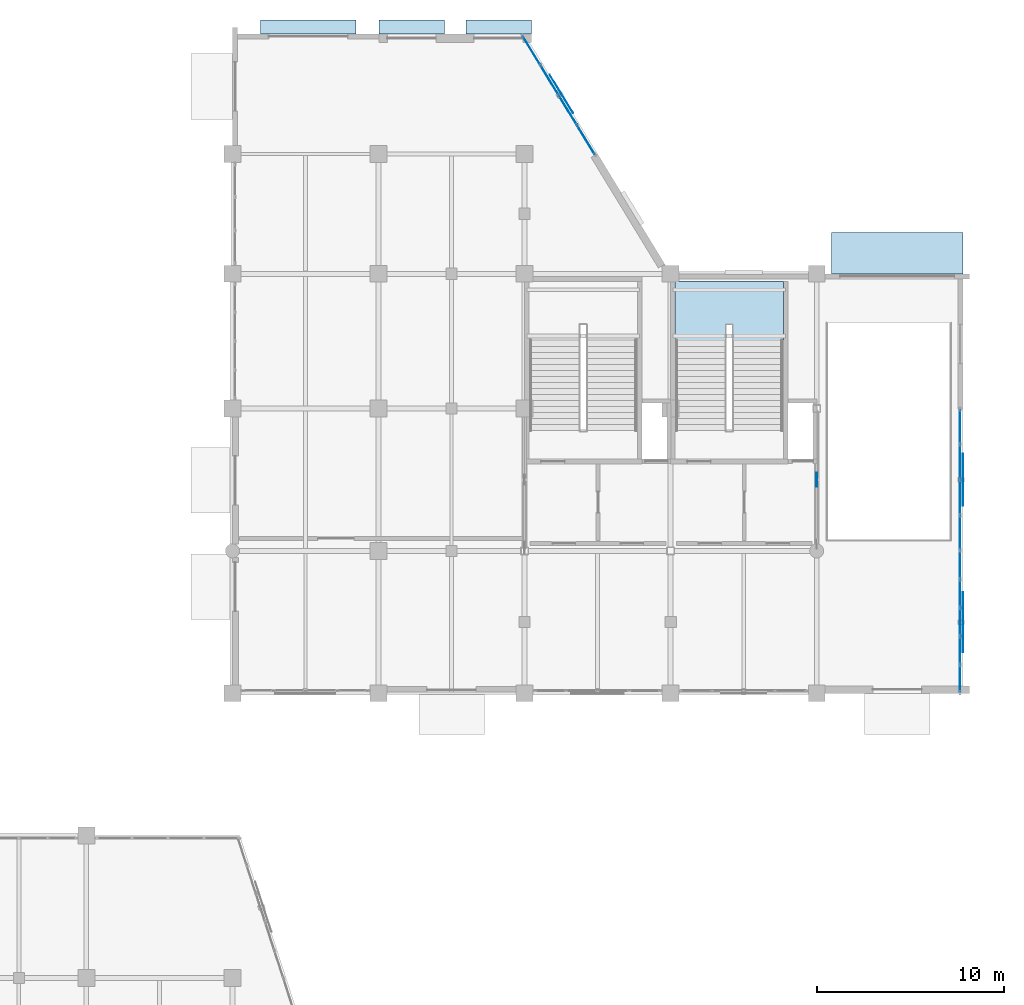
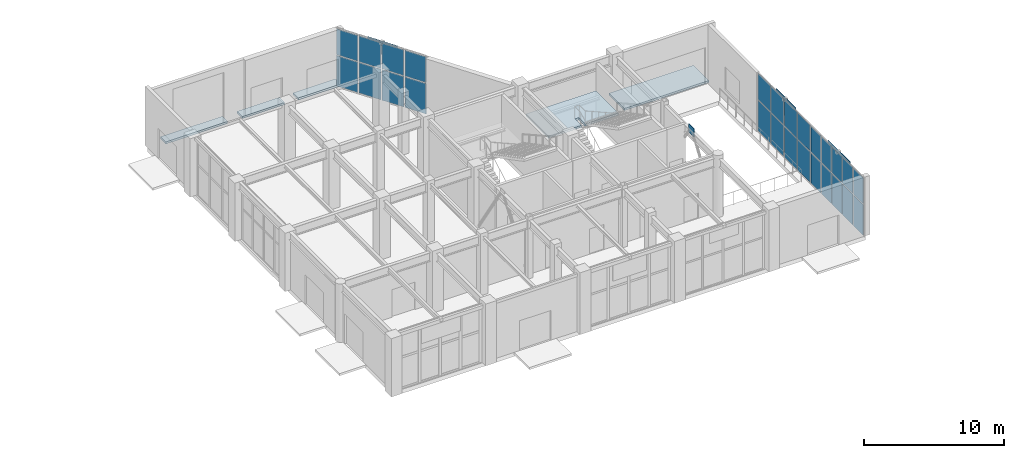
# One storey, part 113 of 139: 30 plates, 5 slabs, 4 elements without a shape of their own.
"""IFC4 building model written with IfcOpenShell, lengths in metres."""

from ifc_helpers import new_model, si_unit, direction, frame, origin, origin_2d, place, context, subcontext, project, spatial, polyline, rectangle, outline, extrude, material, layer, layer_set, type_object, element, aggregate, save


model = new_model("IFC4")

# Units and contexts
model_context = context("Model", 3, precision=1e-05, world=origin(), true_north=direction((0.0, 1.0)))
body_context = subcontext(model_context, "Body", "Model", "MODEL_VIEW")
ifc_project = project(units=[si_unit("LENGTHUNIT", "METRE"), si_unit("AREAUNIT", "SQUARE_METRE"), si_unit("VOLUMEUNIT", "CUBIC_METRE"), si_unit("PLANEANGLEUNIT", "RADIAN"), si_unit("MASSUNIT", "GRAM", prefix="KILO")], contexts=[model_context])

# Site, building, storey
site_placement = place(None, origin())
site = spatial("IfcSite", under=ifc_project, at=site_placement, CompositionType="ELEMENT")
building_placement = place(site_placement, origin())
building = spatial("IfcBuilding", under=site, at=building_placement, Name="Xicomal Pleat Aquarium", CompositionType="ELEMENT")
storey_placement = place(building_placement, origin())
storey = spatial("IfcBuildingStorey", under=building, at=storey_placement, Name="L01", CompositionType="ELEMENT", Elevation=0.0)

# Curtain wall, plates
ifc_material_1 = material(Name="Bronze anodized aluminium 6063-T6", Category="aluminium")
ifc_layer_1 = layer(ifc_material_1, 0.159912109375)
ifc_layer_set_1 = layer_set([ifc_layer_1], Name="Bronze anodized aluminium 6063-T6")
curtain_wall_type_1 = type_object("IfcCurtainWallType", Name="CW-SYS-06", PredefinedType="NOTDEFINED", material=ifc_layer_set_1)
curtain_wall_1_placement = place(storey_placement, origin())
curtain_wall_1 = element("IfcCurtainWall", 1, at=curtain_wall_1_placement, inside=storey, type_object=curtain_wall_type_1, Name="L01 unitised curtain wall CW-L01-064", PredefinedType="NOTDEFINED")
ifc_material_2 = material(Name="Insulated low-E laminated glass", Category="glass")
ifc_layer_2 = layer(ifc_material_2, 0.028076171875)
ifc_layer_set_2 = layer_set([ifc_layer_2], Name="Insulated low-E laminated glass")
plate_type_1 = type_object("IfcPlateType", Name="CWP-GLZ-28", PredefinedType="CURTAIN_PANEL", material=ifc_layer_set_2)
plate_1_placement = place(storey_placement, frame((164.860107421875, 90.231201171875, 0.0751953125), z_axis=(0.0, 0.0, 1.0), x_axis=(0.0, -1.0, 0.0)))
plate_1 = element("IfcPlate", 2, at=plate_1_placement, type_object=plate_type_1, Name="CW-06 panel 1.1", PredefinedType="CURTAIN_PANEL", context=body_context, shape_type="SweptSolid", body=[
    extrude(rectangle(XDim=1.78759765625, YDim=0.028076171875, at=origin_2d()), origin(), (0.0, 0.0, 1.0), 2.673583984375),
])
plate_2_placement = place(storey_placement, frame((164.860107421875, 90.231201171875, 2.82373046875), z_axis=(0.0, 0.0, 1.0), x_axis=(0.0, -1.0, 0.0)))
plate_2 = element("IfcPlate", 3, at=plate_2_placement, type_object=plate_type_1, Name="CW-06 panel 1.2", PredefinedType="CURTAIN_PANEL", context=body_context, shape_type="SweptSolid", body=[
    extrude(rectangle(XDim=1.78759765625, YDim=0.028076171875, at=origin_2d()), origin(), (0.0, 0.0, 1.0), 2.261474609375),
])
plate_3_placement = place(storey_placement, frame((164.860107421875, 88.35009765625, 0.0751953125), z_axis=(0.0, 0.0, 1.0), x_axis=(0.0, -1.0, 0.0)))
plate_3 = element("IfcPlate", 4, at=plate_3_placement, type_object=plate_type_1, Name="CW-06 panel 2.1", PredefinedType="CURTAIN_PANEL", context=body_context, shape_type="SweptSolid", body=[
    extrude(rectangle(XDim=1.824951171875, YDim=0.028076171875, at=origin_2d()), origin(), (0.0, 0.0, 1.0), 2.673583984375),
])
plate_4_placement = place(storey_placement, frame((164.860107421875, 88.35009765625, 2.82373046875), z_axis=(0.0, 0.0, 1.0), x_axis=(0.0, -1.0, 0.0)))
plate_4 = element("IfcPlate", 5, at=plate_4_placement, type_object=plate_type_1, Name="CW-06 panel 2.2", PredefinedType="CURTAIN_PANEL", context=body_context, shape_type="SweptSolid", body=[
    extrude(rectangle(XDim=1.824951171875, YDim=0.028076171875, at=origin_2d()), origin(), (0.0, 0.0, 1.0), 2.261474609375),
])
plate_5_placement = place(storey_placement, frame((164.860107421875, 86.449951171875, 0.0751953125), z_axis=(0.0, 0.0, 1.0), x_axis=(0.0, -1.0, 0.0)))
plate_5 = element("IfcPlate", 6, at=plate_5_placement, type_object=plate_type_1, Name="CW-06 panel 3.1", PredefinedType="CURTAIN_PANEL", context=body_context, shape_type="SweptSolid", body=[
    extrude(rectangle(XDim=1.824951171875, YDim=0.028076171875, at=origin_2d()), origin(), (0.0, 0.0, 1.0), 2.673583984375),
])
plate_6_placement = place(storey_placement, frame((164.860107421875, 86.449951171875, 2.82373046875), z_axis=(0.0, 0.0, 1.0), x_axis=(0.0, -1.0, 0.0)))
plate_6 = element("IfcPlate", 7, at=plate_6_placement, type_object=plate_type_1, Name="CW-06 panel 3.2", PredefinedType="CURTAIN_PANEL", context=body_context, shape_type="SweptSolid", body=[
    extrude(rectangle(XDim=1.824951171875, YDim=0.028076171875, at=origin_2d()), origin(), (0.0, 0.0, 1.0), 2.261474609375),
])
plate_7_placement = place(storey_placement, frame((164.860107421875, 84.568603515625, 0.0751953125), z_axis=(0.0, 0.0, 1.0), x_axis=(0.0, -1.0, 0.0)))
plate_7 = element("IfcPlate", 8, at=plate_7_placement, type_object=plate_type_1, Name="CW-06 panel 4.1", PredefinedType="CURTAIN_PANEL", context=body_context, shape_type="SweptSolid", body=[
    extrude(rectangle(XDim=1.78759765625, YDim=0.028076171875, at=origin_2d()), origin(), (0.0, 0.0, 1.0), 2.673583984375),
])
plate_8_placement = place(storey_placement, frame((164.860107421875, 84.568603515625, 2.82373046875), z_axis=(0.0, 0.0, 1.0), x_axis=(0.0, -1.0, 0.0)))
plate_8 = element("IfcPlate", 9, at=plate_8_placement, type_object=plate_type_1, Name="CW-06 panel 4.2", PredefinedType="CURTAIN_PANEL", context=body_context, shape_type="SweptSolid", body=[
    extrude(rectangle(XDim=1.78759765625, YDim=0.028076171875, at=origin_2d()), origin(), (0.0, 0.0, 1.0), 2.261474609375),
])
aggregate(curtain_wall_1, [plate_1, plate_2, plate_3, plate_4, plate_5, plate_6, plate_7, plate_8])

ifc_material_3 = material(Name="Bronze anodized aluminium 6063-T6", Category="aluminium")
ifc_layer_3 = layer(ifc_material_3, 0.159912109375)
ifc_layer_set_3 = layer_set([ifc_layer_3], Name="Bronze anodized aluminium 6063-T6")
curtain_wall_type_2 = type_object("IfcCurtainWallType", Name="CW-SYS-11", PredefinedType="NOTDEFINED", material=ifc_layer_set_3)
curtain_wall_2_placement = place(storey_placement, origin())
curtain_wall_2 = element("IfcCurtainWall", 10, at=curtain_wall_2_placement, inside=storey, type_object=curtain_wall_type_2, Name="L01 unitised curtain wall CW-L01-065", PredefinedType="NOTDEFINED")
ifc_material_4 = material(Name="Insulated low-E laminated glass", Category="glass")
ifc_layer_4 = layer(ifc_material_4, 0.031982421875)
ifc_layer_set_4 = layer_set([ifc_layer_4], Name="Insulated low-E laminated glass")
plate_type_2 = type_object("IfcPlateType", Name="CWP-GLZ-32", PredefinedType="CURTAIN_PANEL", material=ifc_layer_set_4)
plate_9_placement = place(storey_placement, frame((164.860107421875, 82.818603515625, 0.0849609375), z_axis=(0.0, 0.0, 1.0), x_axis=(0.0, -1.0, 0.0)))
plate_9 = element("IfcPlate", 11, at=plate_9_placement, type_object=plate_type_2, Name="CW-11 panel 1.1", PredefinedType="CURTAIN_PANEL", context=body_context, shape_type="SweptSolid", body=[
    extrude(rectangle(XDim=1.392578125, YDim=0.031982421875, at=origin_2d()), origin(), (0.0, 0.0, 1.0), 2.658447265625),
])
plate_10_placement = place(storey_placement, frame((164.860107421875, 82.818603515625, 2.828369140625), z_axis=(0.0, 0.0, 1.0), x_axis=(0.0, -1.0, 0.0)))
plate_10 = element("IfcPlate", 12, at=plate_10_placement, type_object=plate_type_2, Name="CW-11 panel 1.2", PredefinedType="CURTAIN_PANEL", context=body_context, shape_type="SweptSolid", body=[
    extrude(rectangle(XDim=1.392578125, YDim=0.031982421875, at=origin_2d()), origin(), (0.0, 0.0, 1.0), 2.24658203125),
])
plate_11_placement = place(storey_placement, frame((164.860107421875, 81.320068359375, 0.0849609375), z_axis=(0.0, 0.0, 1.0), x_axis=(0.0, -1.0, 0.0)))
plate_11 = element("IfcPlate", 13, at=plate_11_placement, type_object=plate_type_2, Name="CW-11 panel 2.1", PredefinedType="CURTAIN_PANEL", context=body_context, shape_type="SweptSolid", body=[
    extrude(rectangle(XDim=1.43505859375, YDim=0.031982421875, at=origin_2d()), origin(), (0.0, 0.0, 1.0), 2.658447265625),
])
plate_12_placement = place(storey_placement, frame((164.860107421875, 81.320068359375, 2.828369140625), z_axis=(0.0, 0.0, 1.0), x_axis=(0.0, -1.0, 0.0)))
plate_12 = element("IfcPlate", 14, at=plate_12_placement, type_object=plate_type_2, Name="CW-11 panel 2.2", PredefinedType="CURTAIN_PANEL", context=body_context, shape_type="SweptSolid", body=[
    extrude(rectangle(XDim=1.43505859375, YDim=0.031982421875, at=origin_2d()), origin(), (0.0, 0.0, 1.0), 2.24658203125),
])
plate_13_placement = place(storey_placement, frame((164.860107421875, 79.800048828125, 0.0849609375), z_axis=(0.0, 0.0, 1.0), x_axis=(0.0, -1.0, 0.0)))
plate_13 = element("IfcPlate", 15, at=plate_13_placement, type_object=plate_type_2, Name="CW-11 panel 3.1", PredefinedType="CURTAIN_PANEL", context=body_context, shape_type="SweptSolid", body=[
    extrude(rectangle(XDim=1.43505859375, YDim=0.031982421875, at=origin_2d()), origin(), (0.0, 0.0, 1.0), 2.658447265625),
])
plate_14_placement = place(storey_placement, frame((164.860107421875, 79.800048828125, 2.828369140625), z_axis=(0.0, 0.0, 1.0), x_axis=(0.0, -1.0, 0.0)))
plate_14 = element("IfcPlate", 16, at=plate_14_placement, type_object=plate_type_2, Name="CW-11 panel 3.2", PredefinedType="CURTAIN_PANEL", context=body_context, shape_type="SweptSolid", body=[
    extrude(rectangle(XDim=1.43505859375, YDim=0.031982421875, at=origin_2d()), origin(), (0.0, 0.0, 1.0), 2.24658203125),
])
plate_15_placement = place(storey_placement, frame((164.860107421875, 78.280029296875, 0.0849609375), z_axis=(0.0, 0.0, 1.0), x_axis=(0.0, -1.0, 0.0)))
plate_15 = element("IfcPlate", 17, at=plate_15_placement, type_object=plate_type_2, Name="CW-11 panel 4.1", PredefinedType="CURTAIN_PANEL", context=body_context, shape_type="SweptSolid", body=[
    extrude(rectangle(XDim=1.43505859375, YDim=0.031982421875, at=origin_2d()), origin(), (0.0, 0.0, 1.0), 2.658447265625),
])
plate_16_placement = place(storey_placement, frame((164.860107421875, 78.280029296875, 2.828369140625), z_axis=(0.0, 0.0, 1.0), x_axis=(0.0, -1.0, 0.0)))
plate_16 = element("IfcPlate", 18, at=plate_16_placement, type_object=plate_type_2, Name="CW-11 panel 4.2", PredefinedType="CURTAIN_PANEL", context=body_context, shape_type="SweptSolid", body=[
    extrude(rectangle(XDim=1.43505859375, YDim=0.031982421875, at=origin_2d()), origin(), (0.0, 0.0, 1.0), 2.24658203125),
])
plate_17_placement = place(storey_placement, frame((164.860107421875, 76.78125, 0.0849609375), z_axis=(0.0, 0.0, 1.0), x_axis=(0.0, -1.0, 0.0)))
plate_17 = element("IfcPlate", 19, at=plate_17_placement, type_object=plate_type_2, Name="CW-11 panel 5.1", PredefinedType="CURTAIN_PANEL", context=body_context, shape_type="SweptSolid", body=[
    extrude(rectangle(XDim=1.392578125, YDim=0.031982421875, at=origin_2d()), origin(), (0.0, 0.0, 1.0), 2.658447265625),
])
plate_18_placement = place(storey_placement, frame((164.860107421875, 76.78125, 2.828369140625), z_axis=(0.0, 0.0, 1.0), x_axis=(0.0, -1.0, 0.0)))
plate_18 = element("IfcPlate", 20, at=plate_18_placement, type_object=plate_type_2, Name="CW-11 panel 5.2", PredefinedType="CURTAIN_PANEL", context=body_context, shape_type="SweptSolid", body=[
    extrude(rectangle(XDim=1.392578125, YDim=0.031982421875, at=origin_2d()), origin(), (0.0, 0.0, 1.0), 2.24658203125),
])
aggregate(curtain_wall_2, [plate_9, plate_10, plate_11, plate_12, plate_13, plate_14, plate_15, plate_16, plate_17, plate_18])

curtain_wall_3_placement = place(storey_placement, origin())
curtain_wall_3 = element("IfcCurtainWall", 21, at=curtain_wall_3_placement, inside=storey, type_object=curtain_wall_type_2, Name="L01 unitised curtain wall CW-L01-071", PredefinedType="NOTDEFINED")
ifc_material_5 = material(Name="Insulated low-E laminated glass", Category="glass")
ifc_layer_5 = layer(ifc_material_5, 0.0419921875)
ifc_layer_set_5 = layer_set([ifc_layer_5], Name="Insulated low-E laminated glass")
plate_type_3 = type_object("IfcPlateType", Name="CWP-GLZ-42", PredefinedType="CURTAIN_PANEL", material=ifc_layer_set_5)
plate_19_placement = place(storey_placement, frame((141.978515625, 110.308837890625, 0.0849609375), z_axis=(0.0, 0.0, 1.0), x_axis=(0.520370172675, -0.853940796185, 0.0)))
plate_19 = element("IfcPlate", 22, at=plate_19_placement, type_object=plate_type_3, Name="CW-11 panel 1.1", PredefinedType="CURTAIN_PANEL", context=body_context, shape_type="SweptSolid", body=[
    extrude(rectangle(XDim=1.74609375, YDim=0.0419921875, at=origin_2d()), origin(), (0.0, 0.0, 1.0), 2.658447265625),
])
plate_20_placement = place(storey_placement, frame((141.978515625, 110.308837890625, 2.828369140625), z_axis=(0.0, 0.0, 1.0), x_axis=(0.520370172675, -0.853940796185, 0.0)))
plate_20 = element("IfcPlate", 23, at=plate_20_placement, type_object=plate_type_3, Name="CW-11 panel 1.2", PredefinedType="CURTAIN_PANEL", context=body_context, shape_type="SweptSolid", body=[
    extrude(rectangle(XDim=1.74609375, YDim=0.0419921875, at=origin_2d()), origin(), (0.0, 0.0, 1.0), 2.24658203125),
])
plate_21_placement = place(storey_placement, frame((142.9423828125, 108.72705078125, 0.0849609375), z_axis=(0.0, 0.0, 1.0), x_axis=(0.520370172675, -0.853940796185, 0.0)))
plate_21 = element("IfcPlate", 24, at=plate_21_placement, type_object=plate_type_3, Name="CW-11 panel 2.1", PredefinedType="CURTAIN_PANEL", context=body_context, shape_type="SweptSolid", body=[
    extrude(rectangle(XDim=1.788818359375, YDim=0.0419921875, at=origin_2d()), origin(), (0.0, 0.0, 1.0), 2.658447265625),
])
plate_22_placement = place(storey_placement, frame((142.9423828125, 108.72705078125, 2.828369140625), z_axis=(0.0, 0.0, 1.0), x_axis=(0.520370172675, -0.853940796185, 0.0)))
plate_22 = element("IfcPlate", 25, at=plate_22_placement, type_object=plate_type_3, Name="CW-11 panel 2.2", PredefinedType="CURTAIN_PANEL", context=body_context, shape_type="SweptSolid", body=[
    extrude(rectangle(XDim=1.788818359375, YDim=0.0419921875, at=origin_2d()), origin(), (0.0, 0.0, 1.0), 2.24658203125),
])
plate_23_placement = place(storey_placement, frame((143.91748046875, 107.126953125, 0.0849609375), z_axis=(0.0, 0.0, 1.0), x_axis=(0.520370172675, -0.853940796185, 0.0)))
plate_23 = element("IfcPlate", 26, at=plate_23_placement, type_object=plate_type_3, Name="CW-11 panel 3.1", PredefinedType="CURTAIN_PANEL", context=body_context, shape_type="SweptSolid", body=[
    extrude(rectangle(XDim=1.788818359375, YDim=0.0419921875, at=origin_2d()), origin(), (0.0, 0.0, 1.0), 2.658447265625),
])
plate_24_placement = place(storey_placement, frame((143.91748046875, 107.126953125, 2.828369140625), z_axis=(0.0, 0.0, 1.0), x_axis=(0.520370172675, -0.853940796185, 0.0)))
plate_24 = element("IfcPlate", 27, at=plate_24_placement, type_object=plate_type_3, Name="CW-11 panel 3.2", PredefinedType="CURTAIN_PANEL", context=body_context, shape_type="SweptSolid", body=[
    extrude(rectangle(XDim=1.788818359375, YDim=0.0419921875, at=origin_2d()), origin(), (0.0, 0.0, 1.0), 2.24658203125),
])
plate_25_placement = place(storey_placement, frame((144.88134765625, 105.545166015625, 0.0849609375), z_axis=(0.0, 0.0, 1.0), x_axis=(0.520370172675, -0.853940796185, 0.0)))
plate_25 = element("IfcPlate", 28, at=plate_25_placement, type_object=plate_type_3, Name="CW-11 panel 4.1", PredefinedType="CURTAIN_PANEL", context=body_context, shape_type="SweptSolid", body=[
    extrude(rectangle(XDim=1.74609375, YDim=0.0419921875, at=origin_2d()), origin(), (0.0, 0.0, 1.0), 2.658447265625),
])
plate_26_placement = place(storey_placement, frame((144.88134765625, 105.545166015625, 2.828369140625), z_axis=(0.0, 0.0, 1.0), x_axis=(0.520370172675, -0.853940796185, 0.0)))
plate_26 = element("IfcPlate", 29, at=plate_26_placement, type_object=plate_type_3, Name="CW-11 panel 4.2", PredefinedType="CURTAIN_PANEL", context=body_context, shape_type="SweptSolid", body=[
    extrude(rectangle(XDim=1.74609375, YDim=0.0419921875, at=origin_2d()), origin(), (0.0, 0.0, 1.0), 2.24658203125),
])
aggregate(curtain_wall_3, [plate_19, plate_20, plate_21, plate_22, plate_23, plate_24, plate_25, plate_26])

# Plates
ifc_material_6 = material(Name="Structural steel A992 Gr 50", Category="steel")
ifc_layer_6 = layer(ifc_material_6, 0.044921875)
ifc_layer_set_6 = layer_set([ifc_layer_6], Name="Structural steel A992 Gr 50")
plate_type_4 = type_object("IfcPlateType", Name="PLT-GUS-45", PredefinedType="USERDEFINED", material=ifc_layer_set_6)
plate_27_placement = place(storey_placement, frame((157.199951171875, 87.39990234375, 4.675048828125), z_axis=(0.0, 0.0, 1.0), x_axis=(0.0, 1.0, 0.0)))
element("IfcPlate", 30, at=plate_27_placement, inside=storey, type_object=plate_type_4, Name="L01 chevron gusset node plate 22", ObjectType="GUSSET PLATE", PredefinedType="USERDEFINED", context=body_context, shape_type="SweptSolid", body=[
    extrude(rectangle(XDim=0.75, YDim=0.044921875, at=origin_2d()), origin(), (0.0, 0.0, 1.0), 0.75),
])
ifc_material_7 = material(Name="Perforated bronze anodized aluminium", Category="aluminium")
ifc_layer_7 = layer(ifc_material_7, 0.01611328125)
ifc_layer_set_7 = layer_set([ifc_layer_7], Name="Perforated bronze anodized aluminium")
plate_type_5 = type_object("IfcPlateType", Name="PLT-SUN-16", PredefinedType="USERDEFINED", material=ifc_layer_set_7)
plate_28_placement = place(storey_placement, frame((143.56689453125, 108.010009765625, 3.919921875), z_axis=(0.0, 0.0, 1.0), x_axis=(0.520413614052, -0.853914322581, 0.0)))
element("IfcPlate", 31, at=plate_28_placement, inside=storey, type_object=plate_type_5, Name="L01 perforated solar sunshade 39", ObjectType="SUNSHADE PANEL", PredefinedType="USERDEFINED", context=body_context, shape_type="SweptSolid", body=[
    extrude(rectangle(XDim=2.39990234375, YDim=0.01611328125, at=origin_2d()), origin(), (0.0, 0.0, 1.0), 1.199951171875),
])
ifc_material_8 = material(Name="Perforated bronze anodized aluminium", Category="aluminium")
ifc_layer_8 = layer(ifc_material_8, 0.02001953125)
ifc_layer_set_8 = layer_set([ifc_layer_8], Name="Perforated bronze anodized aluminium")
plate_type_6 = type_object("IfcPlateType", Name="PLT-SUN-20", PredefinedType="USERDEFINED", material=ifc_layer_set_8)
plate_29_placement = place(storey_placement, frame((165.02001953125, 87.39990234375, 3.43994140625), z_axis=(0.0, 0.0, 1.0), x_axis=(0.0, -1.0, 0.0)))
element("IfcPlate", 32, at=plate_29_placement, inside=storey, type_object=plate_type_6, Name="L01 perforated solar sunshade 34", ObjectType="SUNSHADE PANEL", PredefinedType="USERDEFINED", context=body_context, shape_type="SweptSolid", body=[
    extrude(rectangle(XDim=2.800048828125, YDim=0.02001953125, at=origin_2d()), origin(), (0.0, 0.0, 1.0), 1.679931640625),
])
ifc_material_9 = material(Name="Perforated bronze anodized aluminium", Category="aluminium")
ifc_layer_9 = layer(ifc_material_9, 0.02392578125)
ifc_layer_set_9 = layer_set([ifc_layer_9], Name="Perforated bronze anodized aluminium")
plate_type_7 = type_object("IfcPlateType", Name="PLT-SUN-24", PredefinedType="USERDEFINED", material=ifc_layer_set_9)
plate_30_placement = place(storey_placement, frame((165.02001953125, 79.800048828125, 3.52001953125), z_axis=(0.0, 0.0, 1.0), x_axis=(0.0, -1.0, 0.0)))
element("IfcPlate", 33, at=plate_30_placement, inside=storey, type_object=plate_type_7, Name="L01 perforated solar sunshade 35", ObjectType="SUNSHADE PANEL", PredefinedType="USERDEFINED", context=body_context, shape_type="SweptSolid", body=[
    extrude(rectangle(XDim=3.199951171875, YDim=0.02392578125, at=origin_2d()), origin(), (0.0, 0.0, 1.0), 1.60009765625),
])

# Stair, slab
ifc_material_10 = material(Name="Concrete C35/45", Category="concrete")
stair_type = type_object("IfcStairType", Name="STR-HT-5400-2400", PredefinedType="HALF_TURN_STAIR", material=ifc_material_10)
stair_placement = place(storey_placement, origin())
stair = element("IfcStair", 34, at=stair_placement, inside=storey, type_object=stair_type, Name="ST-06 fire exit stair L01 to L02", PredefinedType="HALF_TURN_STAIR")
ifc_material_11 = material(Name="Concrete C35/45", Category="concrete")
ifc_layer_10 = layer(ifc_material_11, 0.195068359375)
ifc_layer_set_10 = layer_set([ifc_layer_10], Name="Concrete C35/45")
slab_type_1 = type_object("IfcSlabType", Name="SLB-LND-195", PredefinedType="LANDING", material=ifc_layer_set_10)
slab_1_placement = place(storey_placement, frame((0.0, 0.0, 2.5048828125)))
slab_1 = element("IfcSlab", 35, at=slab_1_placement, type_object=slab_type_1, Name="ST-06 landing 1", PredefinedType="LANDING", context=body_context, shape_type="SweptSolid", body=[
    extrude(outline(polyline([(149.639892578125, 98.0), (155.419921875, 98.0), (155.419921875, 94.7900390625), (152.679931640625, 94.7900390625), (152.679931640625, 95.699951171875), (152.3798828125, 95.699951171875), (152.3798828125, 94.7900390625), (149.639892578125, 94.7900390625), (149.639892578125, 98.0)])), origin(), (0.0, 0.0, 1.0), 0.195068359375),
])
aggregate(stair, [slab_1])

# Slabs
ifc_material_12 = material(Name="Concrete C40/50", Category="concrete")
ifc_layer_11 = layer(ifc_material_12, 0.18505859375)
ifc_layer_set_11 = layer_set([ifc_layer_11], Name="Concrete C40/50")
slab_type_2 = type_object("IfcSlabType", Name="SLB-TER-185", PredefinedType="FLOOR", material=ifc_layer_set_11)
slab_2_placement = place(storey_placement, frame((0.0, 0.0, -0.18505859375)))
element("IfcSlab", 36, at=slab_2_placement, inside=storey, type_object=slab_type_2, Name="Exterior grade entrance apron SL-APR-DG01", PredefinedType="FLOOR", context=body_context, shape_type="SweptSolid", body=[
    extrude(outline(polyline([(157.998046875, 98.39990234375), (157.998046875, 100.60009765625), (164.998046875, 100.60009765625), (164.998046875, 98.39990234375), (157.998046875, 98.39990234375)])), origin(), (0.0, 0.0, 1.0), 0.18505859375),
])
slab_3_placement = place(storey_placement, frame((0.0, 0.0, -0.18505859375)))
element("IfcSlab", 37, at=slab_3_placement, inside=storey, type_object=slab_type_2, Name="Exterior grade entrance apron SL-APR-DG02", PredefinedType="FLOOR", context=body_context, shape_type="SweptSolid", body=[
    extrude(outline(polyline([(127.501953125, 111.949951171875), (132.60205078125, 111.949951171875), (132.60205078125, 111.199951171875), (127.501953125, 111.199951171875), (127.501953125, 111.949951171875)])), origin(), (0.0, 0.0, 1.0), 0.18505859375),
])
slab_4_placement = place(storey_placement, frame((0.0, 0.0, -0.18505859375)))
element("IfcSlab", 38, at=slab_4_placement, inside=storey, type_object=slab_type_2, Name="Exterior grade entrance apron SL-APR-EX-09", PredefinedType="FLOOR", context=body_context, shape_type="SweptSolid", body=[
    extrude(outline(polyline([(133.820068359375, 111.949951171875), (137.320068359375, 111.949951171875), (137.320068359375, 111.199951171875), (133.820068359375, 111.199951171875), (133.820068359375, 111.949951171875)])), origin(), (0.0, 0.0, 1.0), 0.18505859375),
])
slab_5_placement = place(storey_placement, frame((0.0, 0.0, -0.18505859375)))
element("IfcSlab", 39, at=slab_5_placement, inside=storey, type_object=slab_type_2, Name="Exterior grade entrance apron SL-APR-EX-10", PredefinedType="FLOOR", context=body_context, shape_type="SweptSolid", body=[
    extrude(outline(polyline([(138.4599609375, 111.949951171875), (141.9599609375, 111.949951171875), (141.9599609375, 111.199951171875), (141.60009765625, 111.199951171875), (138.4599609375, 111.199951171875), (138.4599609375, 111.949951171875)])), origin(), (0.0, 0.0, 1.0), 0.18505859375),
])

save(model, "model.ifc")
